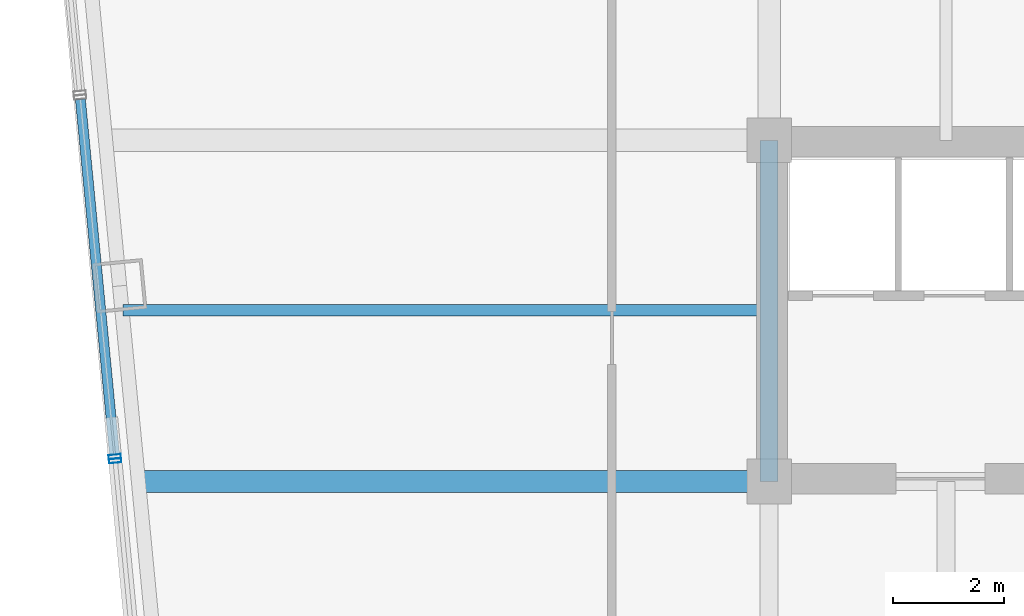
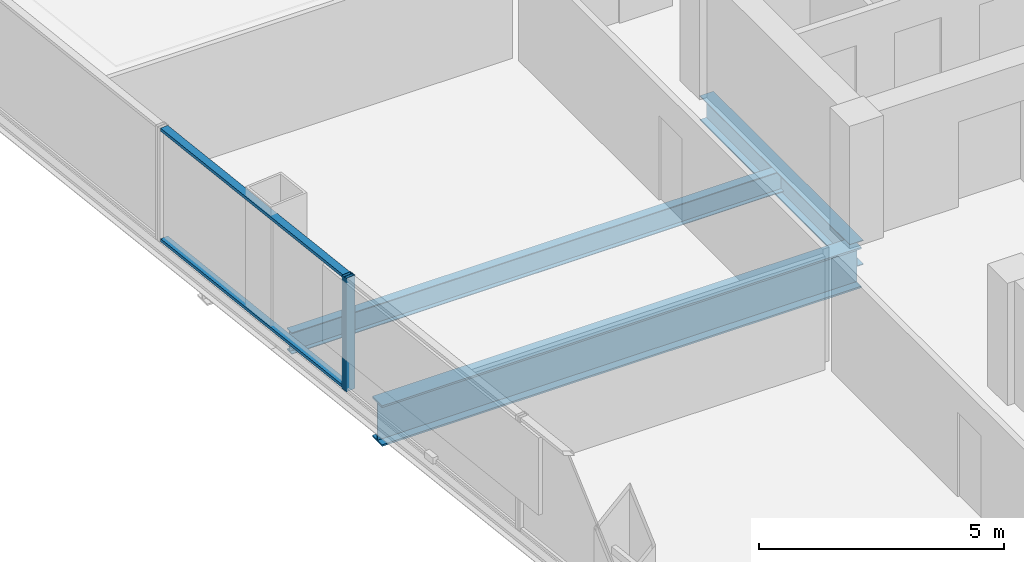
# One storey, part 11 of 34: 4 members, 3 beams, 2 elements without a shape of their own.
"""IFC4 building model written with IfcOpenShell, lengths in metres."""

from ifc_helpers import new_model, si_unit, direction, frame, origin, origin_2d, place, context, subcontext, project, spatial, hollow_rectangle, i_section, extrude, material, layer, layer_set, material_profile, profile_set, type_object, element, aggregate, save


model = new_model("IFC4")

# Units and contexts
model_context = context("Model", 3, precision=1e-05, world=origin(), true_north=direction((0.0, 1.0)))
body_context = subcontext(model_context, "Body", "Model", "MODEL_VIEW")
ifc_project = project(units=[si_unit("LENGTHUNIT", "METRE"), si_unit("AREAUNIT", "SQUARE_METRE"), si_unit("VOLUMEUNIT", "CUBIC_METRE"), si_unit("PLANEANGLEUNIT", "RADIAN"), si_unit("MASSUNIT", "GRAM", prefix="KILO")], contexts=[model_context])

# Site, building, storey
site_placement = place(None, origin())
site = spatial("IfcSite", under=ifc_project, at=site_placement, CompositionType="ELEMENT")
building_placement = place(site_placement, origin())
building = spatial("IfcBuilding", under=site, at=building_placement, Name="Qhalaya Broadcast Tower", CompositionType="ELEMENT")
storey_placement = place(building_placement, frame((0.0, 0.0, 78.60009765625)))
storey = spatial("IfcBuildingStorey", under=building, at=storey_placement, Name="L22", CompositionType="ELEMENT", Elevation=78.60009765625)

# Beams
ifc_material_1 = material(Name="Structural Steel ASTM A992 Grade 50", Category="steel")
ifc_material_profile_1 = material_profile(ifc_material_1, i_section(OverallWidth=0.2099609375, OverallDepth=0.535888671875, WebThickness=0.010986328125, FlangeThickness=0.017333984375, at=origin_2d()), Name="W21X68")
ifc_profile_set_1 = profile_set([ifc_material_profile_1], Name="Structural Steel ASTM A992 Grade 50")
beam_type_1 = type_object("IfcBeamType", Name="Composite Floor Joist J02", PredefinedType="JOIST", material=ifc_profile_set_1)
beam_1_placement = place(storey_placement, frame((-20.974853515625, 6.89990234375, -0.488037109375), z_axis=(1.0, 0.0, 0.0), x_axis=(0.0, 1.0, 0.0)))
element("IfcBeam", 1, at=beam_1_placement, inside=storey, type_object=beam_type_1, Name="L22 J02 L22-JWE5W-1", PredefinedType="JOIST", context=body_context, shape_type="SweptSolid", body=[
    extrude(i_section(OverallWidth=0.2099609375, OverallDepth=0.535888671875, WebThickness=0.010986328125, FlangeThickness=0.017333984375, at=origin_2d()), origin(), (0.0, 0.0, 1.0), 11.599853515625),
])
ifc_material_profile_2 = material_profile(ifc_material_1, i_section(OverallWidth=0.323974609375, OverallDepth=0.612060546875, WebThickness=0.0126953125, FlangeThickness=0.01904296875, at=origin_2d()), Name="W24X104")
ifc_profile_set_2 = profile_set([ifc_material_profile_2], Name="Structural Steel ASTM A992 Grade 50")
beam_type_2 = type_object("IfcBeamType", Name="Core Frame Tie Beam B04", PredefinedType="BEAM", material=ifc_profile_set_2)
beam_2_placement = place(storey_placement, frame((-9.375, 3.824951171875, -0.526123046875), z_axis=(0.0, 1.0, 0.0), x_axis=(-1.0, 0.0, 0.0)))
element("IfcBeam", 2, at=beam_2_placement, inside=storey, type_object=beam_type_2, Name="L22 B04 L22-CCN2", PredefinedType="BEAM", context=body_context, shape_type="SweptSolid", body=[
    extrude(i_section(OverallWidth=0.323974609375, OverallDepth=0.612060546875, WebThickness=0.0126953125, FlangeThickness=0.01904296875, at=origin_2d()), origin(), (0.0, 0.0, 1.0), 6.125),
])
ifc_material_profile_3 = material_profile(ifc_material_1, i_section(OverallWidth=0.40087890625, OverallDepth=1.010986328125, WebThickness=0.023681640625, FlangeThickness=0.0419921875, at=origin_2d()), Name="W40X297")
ifc_profile_set_3 = profile_set([ifc_material_profile_3], Name="Structural Steel ASTM A992 Grade 50")
beam_type_3 = type_object("IfcBeamType", Name="Lower Block Primary Girder PG2", PredefinedType="USERDEFINED", material=ifc_profile_set_3)
beam_3_placement = place(storey_placement, frame((-20.6787109375, 3.824951171875, -0.7255859375), z_axis=(1.0, 0.0, 0.0), x_axis=(0.0, 1.0, 0.0)))
element("IfcBeam", 3, at=beam_3_placement, inside=storey, type_object=beam_type_3, Name="L22 PG2 L22-PGYW3-1", ObjectType="GIRDER", PredefinedType="USERDEFINED", context=body_context, shape_type="SweptSolid", body=[
    extrude(i_section(OverallWidth=0.40087890625, OverallDepth=1.010986328125, WebThickness=0.023681640625, FlangeThickness=0.0419921875, at=origin_2d()), origin(), (0.0, 0.0, 1.0), 11.3037109375),
])

# Curtain wall, member
ifc_material_2 = material(Name="Solar-Control Low-E Triple Glazing", Category="glass")
ifc_layer_1 = layer(ifc_material_2, 0.219970703125, Name="Solar-Control Low-E Triple Glazing")
ifc_layer_set_1 = layer_set([ifc_layer_1], Name="Solar-Control Low-E Triple Glazing")
curtain_wall_type_1 = type_object("IfcCurtainWallType", Name="Even-Block 4-Storey Double-Module Curtain Wall CW-03", PredefinedType="NOTDEFINED", material=ifc_layer_set_1)
curtain_wall_1_placement = place(storey_placement, origin())
curtain_wall_1 = element("IfcCurtainWall", 4, at=curtain_wall_1_placement, inside=storey, type_object=curtain_wall_type_1, Name="L22 Unitised Curtain Wall L22-CW-W3", PredefinedType="NOTDEFINED")
ifc_material_3 = material(Name="Anodised Aluminium 6063-T6", Category="aluminium")
ifc_material_profile_4 = material_profile(ifc_material_3, hollow_rectangle(XDim=0.074951171875, YDim=0.219970703125, WallThickness=0.00390625, at=origin_2d()), Name="ALU-MUL 75x220x4")
ifc_profile_set_4 = profile_set([ifc_material_profile_4], Name="Anodised Aluminium 6063-T6")
member_type_1 = type_object("IfcMemberType", Name="Unitised Curtain-Wall Mullion M01", PredefinedType="MULLION", material=ifc_profile_set_4)
member_1_placement = place(storey_placement, frame((-21.12353515625, 4.27099609375, 0.0), z_axis=(0.0, 0.0, 1.0), x_axis=(0.095852453314, -0.995395553131, 0.0)))
member_1 = element("IfcMember", 5, at=member_1_placement, type_object=member_type_1, Name="CW-03 mullion 2", PredefinedType="MULLION", context=body_context, shape_type="SweptSolid", body=[
    extrude(hollow_rectangle(XDim=0.074951171875, YDim=0.219970703125, WallThickness=0.00390625, at=origin_2d()), origin(), (0.0, 0.0, 1.0), 2.829833984375),
])

ifc_material_4 = material(Name="Fired Architectural Terracotta", Category="masonry")
ifc_layer_2 = layer(ifc_material_4, 0.219970703125, Name="Fired Architectural Terracotta")
ifc_layer_set_2 = layer_set([ifc_layer_2], Name="Fired Architectural Terracotta")
curtain_wall_type_2 = type_object("IfcCurtainWallType", Name="Block-Cap Unitised Terracotta Spandrel Wall CW-07", PredefinedType="NOTDEFINED", material=ifc_layer_set_2)
curtain_wall_2_placement = place(storey_placement, origin())
curtain_wall_2 = element("IfcCurtainWall", 6, at=curtain_wall_2_placement, inside=storey, type_object=curtain_wall_type_2, Name="L22 Unitised Curtain Wall L22-CW-W4", PredefinedType="NOTDEFINED")
member_2_placement = place(storey_placement, frame((-21.116455078125, 4.1962890625, 0.0), z_axis=(0.0, 0.0, 1.0), x_axis=(0.095841245509, -0.995396632333, 0.0)))
member_2 = element("IfcMember", 7, at=member_2_placement, type_object=member_type_1, Name="CW-07 mullion 1", PredefinedType="MULLION", context=body_context, shape_type="SweptSolid", body=[
    extrude(hollow_rectangle(XDim=0.074951171875, YDim=0.219970703125, WallThickness=0.00390625, at=origin_2d()), origin(), (0.0, 0.0, 1.0), 2.829833984375),
])
aggregate(curtain_wall_2, [member_2])

# Member
ifc_material_profile_5 = material_profile(ifc_material_3, hollow_rectangle(XDim=0.074951171875, YDim=0.179931640625, WallThickness=0.00390625, at=origin_2d()), Name="ALU-TRN 75x180x4")
ifc_profile_set_5 = profile_set([ifc_material_profile_5], Name="Anodised Aluminium 6063-T6")
member_type_2 = type_object("IfcMemberType", Name="Unitised Curtain-Wall Transom T01", PredefinedType="USERDEFINED", material=ifc_profile_set_5)
member_3_placement = place(storey_placement, frame((-21.741455078125, 10.686767578125, 0.037353515625), z_axis=(0.095859052771, -0.995394917609, 0.0), x_axis=(0.0, 0.0, 1.0)))
member_3 = element("IfcMember", 8, at=member_3_placement, type_object=member_type_2, Name="CW-03 transom 1.1", ObjectType="TRANSOM", PredefinedType="USERDEFINED", context=body_context, shape_type="SweptSolid", body=[
    extrude(hollow_rectangle(XDim=0.074951171875, YDim=0.179931640625, WallThickness=0.00390625, at=origin_2d()), origin(), (0.0, 0.0, 1.0), 6.407958984375),
])

member_4_placement = place(storey_placement, frame((-21.741455078125, 10.686767578125, 2.79248046875), z_axis=(0.095859052771, -0.995394917609, 0.0), x_axis=(0.0, 0.0, 1.0)))
member_4 = element("IfcMember", 9, at=member_4_placement, type_object=member_type_2, Name="CW-03 transom 1.2", ObjectType="TRANSOM", PredefinedType="USERDEFINED", context=body_context, shape_type="SweptSolid", body=[
    extrude(hollow_rectangle(XDim=0.074951171875, YDim=0.179931640625, WallThickness=0.00390625, at=origin_2d()), origin(), (0.0, 0.0, 1.0), 6.407958984375),
])

aggregate(curtain_wall_1, [member_1, member_3, member_4])

save(model, "model.ifc")
